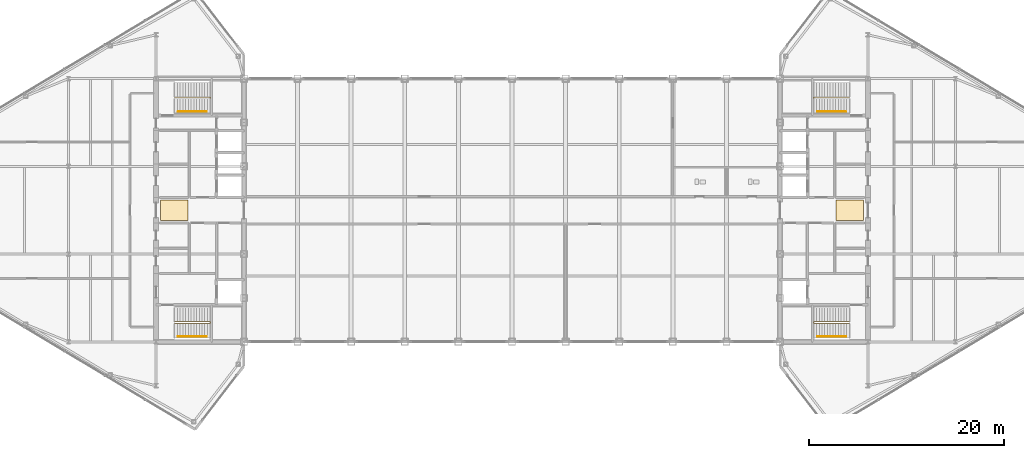
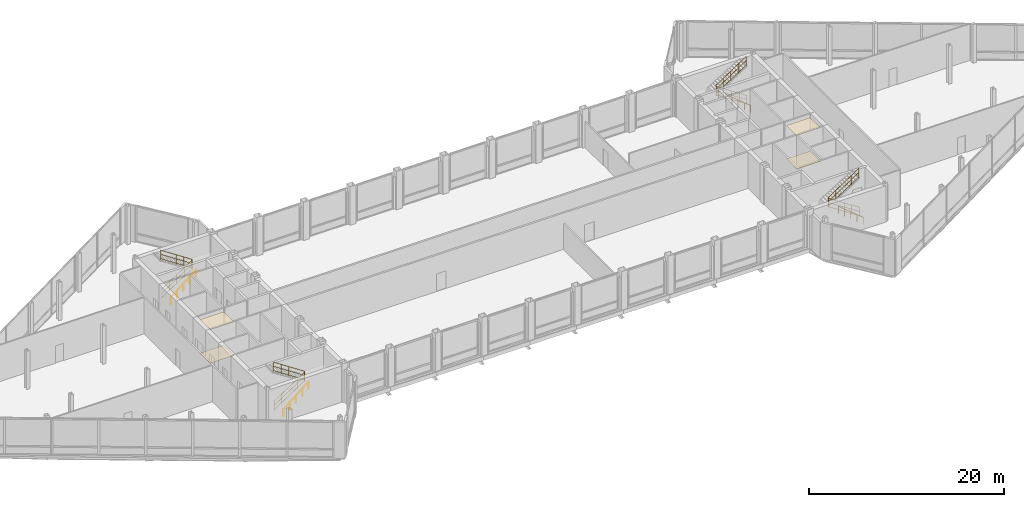
# One storey, part 28 of 29: 8 railings, 4 coverings.
"""IFC4 building model written with IfcOpenShell, lengths in metres."""

from ifc_helpers import new_model, si_unit, direction, frame, origin, origin_2d, place, context, subcontext, project, spatial, polyline, circle, outline, extrude, material, layer, layer_set, type_object, element, save


model = new_model("IFC4")

# Units and contexts
model_context = context("Model", 3, precision=1e-05, world=origin(), true_north=direction((0.0, 1.0)))
body_context = subcontext(model_context, "Body", "Model", "MODEL_VIEW")
ifc_project = project(units=[si_unit("LENGTHUNIT", "METRE"), si_unit("AREAUNIT", "SQUARE_METRE"), si_unit("VOLUMEUNIT", "CUBIC_METRE"), si_unit("PLANEANGLEUNIT", "RADIAN"), si_unit("MASSUNIT", "GRAM", prefix="KILO")], contexts=[model_context])

# Site, building, storey
site_placement = place(None, origin())
site = spatial("IfcSite", under=ifc_project, at=site_placement, CompositionType="ELEMENT")
building_placement = place(site_placement, origin())
building = spatial("IfcBuilding", under=site, at=building_placement, Name="Seokmaru Belvedere", CompositionType="ELEMENT")
storey_placement = place(building_placement, frame((0.0, 0.0, 269.39990234375)))
storey = spatial("IfcBuildingStorey", under=building, at=storey_placement, Name="L71", CompositionType="ELEMENT", Elevation=269.39990234375)

# Coverings
ifc_material_1 = material(Name="Honed Incheon Granite Stone", Category="masonry")
ifc_layer_1 = layer(ifc_material_1, 0.030029296875)
ifc_layer_set_1 = layer_set([ifc_layer_1], Name="Honed Incheon Granite Stone")
covering_type_1 = type_object("IfcCoveringType", Name="Honed Granite Lobby Floor Finish 30", PredefinedType="FLOORING", material=ifc_layer_set_1)
covering_1_placement = place(storey_placement, origin())
element("IfcCovering", 1, at=covering_1_placement, inside=storey, type_object=covering_type_1, Name="L71 W Foyer Floor Finish", PredefinedType="FLOORING", context=body_context, shape_type="SweptSolid", body=[
    extrude(outline(polyline([(-36.050048828125, -1.050048828125), (-33.25, -1.050048828125), (-33.25, 1.050048828125), (-36.050048828125, 1.050048828125), (-36.050048828125, -1.050048828125)])), origin(), (0.0, 0.0, 1.0), 0.030029296875),
])
covering_2_placement = place(storey_placement, origin())
element("IfcCovering", 2, at=covering_2_placement, inside=storey, type_object=covering_type_1, Name="L71 E Foyer Floor Finish", PredefinedType="FLOORING", context=body_context, shape_type="SweptSolid", body=[
    extrude(outline(polyline([(33.25, -1.050048828125), (36.050048828125, -1.050048828125), (36.050048828125, 1.050048828125), (33.25, 1.050048828125), (33.25, -1.050048828125)])), origin(), (0.0, 0.0, 1.0), 0.030029296875),
])
ifc_material_2 = material(Name="Fire-Rated Gypsum Shaftwall")
ifc_layer_2 = layer(ifc_material_2, 0.02490234375)
ifc_layer_set_2 = layer_set([ifc_layer_2], Name="Fire-Rated Gypsum Shaftwall")
covering_type_2 = type_object("IfcCoveringType", Name="Perforated Acoustic Gypsum Suspended Ceiling 25", PredefinedType="CEILING", material=ifc_layer_set_2)
covering_3_placement = place(storey_placement, frame((0.0, 0.0, 4.190185546875)))
element("IfcCovering", 3, at=covering_3_placement, inside=storey, type_object=covering_type_2, Name="L71 W Lift Foyer Acoustic Ceiling", PredefinedType="CEILING", context=body_context, shape_type="SweptSolid", body=[
    extrude(outline(polyline([(-36.050048828125, -1.050048828125), (-33.25, -1.050048828125), (-33.25, 1.050048828125), (-36.050048828125, 1.050048828125), (-36.050048828125, -1.050048828125)])), origin(), (0.0, 0.0, 1.0), 0.02490234375),
])
covering_4_placement = place(storey_placement, frame((0.0, 0.0, 4.190185546875)))
element("IfcCovering", 4, at=covering_4_placement, inside=storey, type_object=covering_type_2, Name="L71 E Lift Foyer Acoustic Ceiling", PredefinedType="CEILING", context=body_context, shape_type="SweptSolid", body=[
    extrude(outline(polyline([(33.25, -1.050048828125), (36.050048828125, -1.050048828125), (36.050048828125, 1.050048828125), (33.25, 1.050048828125), (33.25, -1.050048828125)])), origin(), (0.0, 0.0, 1.0), 0.02490234375),
])

# Railings
ifc_material_3 = material(Name="Stainless Steel 316", Category="steel")
railing_type_1 = type_object("IfcRailingType", Name="Stainless Steel Wall and Flight Handrail 900", PredefinedType="HANDRAIL", material=ifc_material_3)
for number, where, name in (
    (5, (-34.25, -12.949951171875, 0.0), "L71 Stair ST-W1 Wall Handrail"),
    (6, (-34.25, 10.110107421875, 0.0), "L71 Stair ST-W2 Wall Handrail"),
):
    element("IfcRailing", number, at=place(storey_placement, frame(where)), inside=storey, type_object=railing_type_1, Name=name, PredefinedType="HANDRAIL", context=body_context, shape_type="SweptSolid", body=[
        extrude(circle(Radius=0.02392578125, at=origin_2d()), frame((0.0, 0.0, 0.8759765625), z_axis=(0.774636117937, 0.0, 0.63240721437), x_axis=(0.0, 1.0, 0.0)), (0.0, 0.0, 1.0), 3.795166015625),
        extrude(circle(Radius=0.02099609375, at=origin_2d()), origin(), (0.0, 0.0, 1.0), 0.851806640625),
        extrude(circle(Radius=0.02099609375, at=origin_2d()), frame((0.73486328125, 0.0, 0.60009765625)), (0.0, 0.0, 1.0), 0.851806640625),
        extrude(circle(Radius=0.02099609375, at=origin_2d()), frame((1.469970703125, 0.0, 1.2001953125)), (0.0, 0.0, 1.0), 0.851806640625),
        extrude(circle(Radius=0.02099609375, at=origin_2d()), frame((2.205078125, 0.0, 1.800048828125)), (0.0, 0.0, 1.0), 0.851806640625),
        extrude(circle(Radius=0.02099609375, at=origin_2d()), frame((2.93994140625, 0.0, 2.400146484375)), (0.0, 0.0, 1.0), 0.851806640625),
    ])
for number, where, name in (
    (7, (34.25, -12.949951171875, 0.0), "L71 Stair ST-E1 Wall Handrail"),
    (8, (34.25, 10.110107421875, 0.0), "L71 Stair ST-E2 Wall Handrail"),
):
    element("IfcRailing", number, at=place(storey_placement, frame(where)), inside=storey, type_object=railing_type_1, Name=name, PredefinedType="HANDRAIL", context=body_context, shape_type="SweptSolid", body=[
        extrude(circle(Radius=0.02392578125, at=origin_2d()), frame((0.0, 0.0, 0.8759765625), z_axis=(-0.774636117937, 0.0, 0.63240721437), x_axis=(0.0, -1.0, 0.0)), (0.0, 0.0, 1.0), 3.795166015625),
        extrude(circle(Radius=0.02099609375, at=origin_2d()), origin(), (0.0, 0.0, 1.0), 0.851806640625),
        extrude(circle(Radius=0.02099609375, at=origin_2d()), frame((-0.73486328125, 0.0, 0.60009765625)), (0.0, 0.0, 1.0), 0.851806640625),
        extrude(circle(Radius=0.02099609375, at=origin_2d()), frame((-1.469970703125, 0.0, 1.2001953125)), (0.0, 0.0, 1.0), 0.851806640625),
        extrude(circle(Radius=0.02099609375, at=origin_2d()), frame((-2.205078125, 0.0, 1.800048828125)), (0.0, 0.0, 1.0), 0.851806640625),
        extrude(circle(Radius=0.02099609375, at=origin_2d()), frame((-2.93994140625, 0.0, 2.400146484375)), (0.0, 0.0, 1.0), 0.851806640625),
    ])
railing_type_2 = type_object("IfcRailingType", Name="Stair Well and Atrium Steel Guardrail 1200", PredefinedType="GUARDRAIL", material=ifc_material_3)
railing_1_placement = place(storey_placement, frame((-34.60009765625, -11.60009765625, 0.0)))
element("IfcRailing", 9, at=railing_1_placement, inside=storey, type_object=railing_type_2, Name="L71 Stair ST-W1 Inner Well Guardrail", PredefinedType="GUARDRAIL", context=body_context, shape_type="SweptSolid", body=[
    extrude(circle(Radius=0.02392578125, at=origin_2d()), frame((0.0, 0.0, 1.17578125), z_axis=(0.834856447115, 0.0, 0.55046772177), x_axis=(0.0, 1.0, 0.0)), (0.0, 0.0, 1.0), 4.360107421875),
    extrude(circle(Radius=0.02392578125, at=origin_2d()), frame((0.0, 0.0, 0.1201171875), z_axis=(0.834856447115, 0.0, 0.55046772177), x_axis=(0.0, 1.0, 0.0)), (0.0, 0.0, 1.0), 4.360107421875),
    extrude(circle(Radius=0.02392578125, at=origin_2d()), frame((0.0, 0.0, 0.659912109375), z_axis=(0.834856447115, 0.0, 0.55046772177), x_axis=(0.0, 1.0, 0.0)), (0.0, 0.0, 1.0), 4.360107421875),
    extrude(circle(Radius=0.02392578125, at=origin_2d()), frame((3.64013671875, 0.0, 3.576171875), z_axis=(0.0, 1.0, 0.0), x_axis=(-1.0, 0.0, 0.0)), (0.0, 0.0, 1.0), 0.14013671875),
    extrude(circle(Radius=0.02392578125, at=origin_2d()), frame((3.64013671875, 0.0, 2.520263671875), z_axis=(0.0, 1.0, 0.0), x_axis=(-1.0, 0.0, 0.0)), (0.0, 0.0, 1.0), 0.14013671875),
    extrude(circle(Radius=0.02392578125, at=origin_2d()), frame((3.64013671875, 0.0, 3.06005859375), z_axis=(0.0, 1.0, 0.0), x_axis=(-1.0, 0.0, 0.0)), (0.0, 0.0, 1.0), 0.14013671875),
    extrude(circle(Radius=0.02392578125, at=origin_2d()), frame((3.64013671875, 0.14013671875, 3.576171875), z_axis=(-0.83488217925, 0.0, 0.55042869363), x_axis=(0.0, -1.0, 0.0)), (0.0, 0.0, 1.0), 4.360107421875),
    extrude(circle(Radius=0.02392578125, at=origin_2d()), frame((3.64013671875, 0.14013671875, 2.520263671875), z_axis=(-0.83488217925, 0.0, 0.55042869363), x_axis=(0.0, -1.0, 0.0)), (0.0, 0.0, 1.0), 4.360107421875),
    extrude(circle(Radius=0.02392578125, at=origin_2d()), frame((3.64013671875, 0.14013671875, 3.06005859375), z_axis=(-0.83488217925, 0.0, 0.55042869363), x_axis=(0.0, -1.0, 0.0)), (0.0, 0.0, 1.0), 4.360107421875),
    extrude(circle(Radius=0.02099609375, at=origin_2d()), origin(), (0.0, 0.0, 1.0), 1.15185546875),
    extrude(circle(Radius=0.02099609375, at=origin_2d()), frame((0.91015625, 0.0, 0.60009765625)), (0.0, 0.0, 1.0), 1.15185546875),
    extrude(circle(Radius=0.02099609375, at=origin_2d()), frame((1.820068359375, 0.0, 1.2001953125)), (0.0, 0.0, 1.0), 1.15185546875),
    extrude(circle(Radius=0.02099609375, at=origin_2d()), frame((2.72998046875, 0.0, 1.800048828125)), (0.0, 0.0, 1.0), 1.15185546875),
    extrude(circle(Radius=0.02099609375, at=origin_2d()), frame((3.64013671875, 0.0, 2.400146484375)), (0.0, 0.0, 1.0), 1.15185546875),
    extrude(circle(Radius=0.02099609375, at=origin_2d()), frame((3.64013671875, 0.14013671875, 2.400146484375)), (0.0, 0.0, 1.0), 1.15185546875),
    extrude(circle(Radius=0.02099609375, at=origin_2d()), frame((2.72998046875, 0.14013671875, 3.0)), (0.0, 0.0, 1.0), 1.15185546875),
    extrude(circle(Radius=0.02099609375, at=origin_2d()), frame((1.820068359375, 0.14013671875, 3.60009765625)), (0.0, 0.0, 1.0), 1.15185546875),
    extrude(circle(Radius=0.02099609375, at=origin_2d()), frame((0.91015625, 0.14013671875, 4.2001953125)), (0.0, 0.0, 1.0), 1.15185546875),
    extrude(circle(Radius=0.02099609375, at=origin_2d()), frame((0.0, 0.14013671875, 4.800048828125)), (0.0, 0.0, 1.0), 1.15185546875),
])
railing_2_placement = place(storey_placement, frame((-34.60009765625, 11.4599609375, 0.0)))
element("IfcRailing", 10, at=railing_2_placement, inside=storey, type_object=railing_type_2, Name="L71 Stair ST-W2 Inner Well Guardrail", PredefinedType="GUARDRAIL", context=body_context, shape_type="SweptSolid", body=[
    extrude(circle(Radius=0.02392578125, at=origin_2d()), frame((0.0, 0.0, 1.17578125), z_axis=(0.834856447115, 0.0, 0.55046772177), x_axis=(0.0, 1.0, 0.0)), (0.0, 0.0, 1.0), 4.360107421875),
    extrude(circle(Radius=0.02392578125, at=origin_2d()), frame((0.0, 0.0, 0.1201171875), z_axis=(0.834856447115, 0.0, 0.55046772177), x_axis=(0.0, 1.0, 0.0)), (0.0, 0.0, 1.0), 4.360107421875),
    extrude(circle(Radius=0.02392578125, at=origin_2d()), frame((0.0, 0.0, 0.659912109375), z_axis=(0.834856447115, 0.0, 0.55046772177), x_axis=(0.0, 1.0, 0.0)), (0.0, 0.0, 1.0), 4.360107421875),
    extrude(circle(Radius=0.02392578125, at=origin_2d()), frame((3.64013671875, 0.0, 3.576171875), z_axis=(0.0, 1.0, 0.0), x_axis=(-1.0, 0.0, 0.0)), (0.0, 0.0, 1.0), 0.14013671875),
    extrude(circle(Radius=0.02392578125, at=origin_2d()), frame((3.64013671875, 0.0, 2.520263671875), z_axis=(0.0, 1.0, 0.0), x_axis=(-1.0, 0.0, 0.0)), (0.0, 0.0, 1.0), 0.14013671875),
    extrude(circle(Radius=0.02392578125, at=origin_2d()), frame((3.64013671875, 0.0, 3.06005859375), z_axis=(0.0, 1.0, 0.0), x_axis=(-1.0, 0.0, 0.0)), (0.0, 0.0, 1.0), 0.14013671875),
    extrude(circle(Radius=0.02392578125, at=origin_2d()), frame((3.64013671875, 0.14013671875, 3.576171875), z_axis=(-0.83488217925, 0.0, 0.55042869363), x_axis=(0.0, -1.0, 0.0)), (0.0, 0.0, 1.0), 4.360107421875),
    extrude(circle(Radius=0.02392578125, at=origin_2d()), frame((3.64013671875, 0.14013671875, 2.520263671875), z_axis=(-0.83488217925, 0.0, 0.55042869363), x_axis=(0.0, -1.0, 0.0)), (0.0, 0.0, 1.0), 4.360107421875),
    extrude(circle(Radius=0.02392578125, at=origin_2d()), frame((3.64013671875, 0.14013671875, 3.06005859375), z_axis=(-0.83488217925, 0.0, 0.55042869363), x_axis=(0.0, -1.0, 0.0)), (0.0, 0.0, 1.0), 4.360107421875),
    extrude(circle(Radius=0.02099609375, at=origin_2d()), origin(), (0.0, 0.0, 1.0), 1.15185546875),
    extrude(circle(Radius=0.02099609375, at=origin_2d()), frame((0.91015625, 0.0, 0.60009765625)), (0.0, 0.0, 1.0), 1.15185546875),
    extrude(circle(Radius=0.02099609375, at=origin_2d()), frame((1.820068359375, 0.0, 1.2001953125)), (0.0, 0.0, 1.0), 1.15185546875),
    extrude(circle(Radius=0.02099609375, at=origin_2d()), frame((2.72998046875, 0.0, 1.800048828125)), (0.0, 0.0, 1.0), 1.15185546875),
    extrude(circle(Radius=0.02099609375, at=origin_2d()), frame((3.64013671875, 0.0, 2.400146484375)), (0.0, 0.0, 1.0), 1.15185546875),
    extrude(circle(Radius=0.02099609375, at=origin_2d()), frame((3.64013671875, 0.14013671875, 2.400146484375)), (0.0, 0.0, 1.0), 1.15185546875),
    extrude(circle(Radius=0.02099609375, at=origin_2d()), frame((2.72998046875, 0.14013671875, 3.0)), (0.0, 0.0, 1.0), 1.15185546875),
    extrude(circle(Radius=0.02099609375, at=origin_2d()), frame((1.820068359375, 0.14013671875, 3.60009765625)), (0.0, 0.0, 1.0), 1.15185546875),
    extrude(circle(Radius=0.02099609375, at=origin_2d()), frame((0.91015625, 0.14013671875, 4.2001953125)), (0.0, 0.0, 1.0), 1.15185546875),
    extrude(circle(Radius=0.02099609375, at=origin_2d()), frame((0.0, 0.14013671875, 4.800048828125)), (0.0, 0.0, 1.0), 1.15185546875),
])
railing_3_placement = place(storey_placement, frame((34.60009765625, -11.60009765625, 0.0)))
element("IfcRailing", 11, at=railing_3_placement, inside=storey, type_object=railing_type_2, Name="L71 Stair ST-E1 Inner Well Guardrail", PredefinedType="GUARDRAIL", context=body_context, shape_type="SweptSolid", body=[
    extrude(circle(Radius=0.02392578125, at=origin_2d()), frame((0.0, 0.0, 1.17578125), z_axis=(-0.834856447115, 0.0, 0.55046772177), x_axis=(0.0, -1.0, 0.0)), (0.0, 0.0, 1.0), 4.360107421875),
    extrude(circle(Radius=0.02392578125, at=origin_2d()), frame((0.0, 0.0, 0.1201171875), z_axis=(-0.834856447115, 0.0, 0.55046772177), x_axis=(0.0, -1.0, 0.0)), (0.0, 0.0, 1.0), 4.360107421875),
    extrude(circle(Radius=0.02392578125, at=origin_2d()), frame((0.0, 0.0, 0.659912109375), z_axis=(-0.834856447115, 0.0, 0.55046772177), x_axis=(0.0, -1.0, 0.0)), (0.0, 0.0, 1.0), 4.360107421875),
    extrude(circle(Radius=0.02392578125, at=origin_2d()), frame((-3.64013671875, 0.0, 3.576171875), z_axis=(0.0, 1.0, 0.0), x_axis=(-1.0, 0.0, 0.0)), (0.0, 0.0, 1.0), 0.14013671875),
    extrude(circle(Radius=0.02392578125, at=origin_2d()), frame((-3.64013671875, 0.0, 2.520263671875), z_axis=(0.0, 1.0, 0.0), x_axis=(-1.0, 0.0, 0.0)), (0.0, 0.0, 1.0), 0.14013671875),
    extrude(circle(Radius=0.02392578125, at=origin_2d()), frame((-3.64013671875, 0.0, 3.06005859375), z_axis=(0.0, 1.0, 0.0), x_axis=(-1.0, 0.0, 0.0)), (0.0, 0.0, 1.0), 0.14013671875),
    extrude(circle(Radius=0.02392578125, at=origin_2d()), frame((-3.64013671875, 0.14013671875, 3.576171875), z_axis=(0.83488217925, 0.0, 0.55042869363), x_axis=(0.0, 1.0, 0.0)), (0.0, 0.0, 1.0), 4.360107421875),
    extrude(circle(Radius=0.02392578125, at=origin_2d()), frame((-3.64013671875, 0.14013671875, 2.520263671875), z_axis=(0.83488217925, 0.0, 0.55042869363), x_axis=(0.0, 1.0, 0.0)), (0.0, 0.0, 1.0), 4.360107421875),
    extrude(circle(Radius=0.02392578125, at=origin_2d()), frame((-3.64013671875, 0.14013671875, 3.06005859375), z_axis=(0.83488217925, 0.0, 0.55042869363), x_axis=(0.0, 1.0, 0.0)), (0.0, 0.0, 1.0), 4.360107421875),
    extrude(circle(Radius=0.02099609375, at=origin_2d()), origin(), (0.0, 0.0, 1.0), 1.15185546875),
    extrude(circle(Radius=0.02099609375, at=origin_2d()), frame((-0.91015625, 0.0, 0.60009765625)), (0.0, 0.0, 1.0), 1.15185546875),
    extrude(circle(Radius=0.02099609375, at=origin_2d()), frame((-1.820068359375, 0.0, 1.2001953125)), (0.0, 0.0, 1.0), 1.15185546875),
    extrude(circle(Radius=0.02099609375, at=origin_2d()), frame((-2.72998046875, 0.0, 1.800048828125)), (0.0, 0.0, 1.0), 1.15185546875),
    extrude(circle(Radius=0.02099609375, at=origin_2d()), frame((-3.64013671875, 0.0, 2.400146484375)), (0.0, 0.0, 1.0), 1.15185546875),
    extrude(circle(Radius=0.02099609375, at=origin_2d()), frame((-3.64013671875, 0.14013671875, 2.400146484375)), (0.0, 0.0, 1.0), 1.15185546875),
    extrude(circle(Radius=0.02099609375, at=origin_2d()), frame((-2.72998046875, 0.14013671875, 3.0)), (0.0, 0.0, 1.0), 1.15185546875),
    extrude(circle(Radius=0.02099609375, at=origin_2d()), frame((-1.820068359375, 0.14013671875, 3.60009765625)), (0.0, 0.0, 1.0), 1.15185546875),
    extrude(circle(Radius=0.02099609375, at=origin_2d()), frame((-0.91015625, 0.14013671875, 4.2001953125)), (0.0, 0.0, 1.0), 1.15185546875),
    extrude(circle(Radius=0.02099609375, at=origin_2d()), frame((0.0, 0.14013671875, 4.800048828125)), (0.0, 0.0, 1.0), 1.15185546875),
])
railing_4_placement = place(storey_placement, frame((34.60009765625, 11.4599609375, 0.0)))
element("IfcRailing", 12, at=railing_4_placement, inside=storey, type_object=railing_type_2, Name="L71 Stair ST-E2 Inner Well Guardrail", PredefinedType="GUARDRAIL", context=body_context, shape_type="SweptSolid", body=[
    extrude(circle(Radius=0.02392578125, at=origin_2d()), frame((0.0, 0.0, 1.17578125), z_axis=(-0.834856447115, 0.0, 0.55046772177), x_axis=(0.0, -1.0, 0.0)), (0.0, 0.0, 1.0), 4.360107421875),
    extrude(circle(Radius=0.02392578125, at=origin_2d()), frame((0.0, 0.0, 0.1201171875), z_axis=(-0.834856447115, 0.0, 0.55046772177), x_axis=(0.0, -1.0, 0.0)), (0.0, 0.0, 1.0), 4.360107421875),
    extrude(circle(Radius=0.02392578125, at=origin_2d()), frame((0.0, 0.0, 0.659912109375), z_axis=(-0.834856447115, 0.0, 0.55046772177), x_axis=(0.0, -1.0, 0.0)), (0.0, 0.0, 1.0), 4.360107421875),
    extrude(circle(Radius=0.02392578125, at=origin_2d()), frame((-3.64013671875, 0.0, 3.576171875), z_axis=(0.0, 1.0, 0.0), x_axis=(-1.0, 0.0, 0.0)), (0.0, 0.0, 1.0), 0.14013671875),
    extrude(circle(Radius=0.02392578125, at=origin_2d()), frame((-3.64013671875, 0.0, 2.520263671875), z_axis=(0.0, 1.0, 0.0), x_axis=(-1.0, 0.0, 0.0)), (0.0, 0.0, 1.0), 0.14013671875),
    extrude(circle(Radius=0.02392578125, at=origin_2d()), frame((-3.64013671875, 0.0, 3.06005859375), z_axis=(0.0, 1.0, 0.0), x_axis=(-1.0, 0.0, 0.0)), (0.0, 0.0, 1.0), 0.14013671875),
    extrude(circle(Radius=0.02392578125, at=origin_2d()), frame((-3.64013671875, 0.14013671875, 3.576171875), z_axis=(0.83488217925, 0.0, 0.55042869363), x_axis=(0.0, 1.0, 0.0)), (0.0, 0.0, 1.0), 4.360107421875),
    extrude(circle(Radius=0.02392578125, at=origin_2d()), frame((-3.64013671875, 0.14013671875, 2.520263671875), z_axis=(0.83488217925, 0.0, 0.55042869363), x_axis=(0.0, 1.0, 0.0)), (0.0, 0.0, 1.0), 4.360107421875),
    extrude(circle(Radius=0.02392578125, at=origin_2d()), frame((-3.64013671875, 0.14013671875, 3.06005859375), z_axis=(0.83488217925, 0.0, 0.55042869363), x_axis=(0.0, 1.0, 0.0)), (0.0, 0.0, 1.0), 4.360107421875),
    extrude(circle(Radius=0.02099609375, at=origin_2d()), origin(), (0.0, 0.0, 1.0), 1.15185546875),
    extrude(circle(Radius=0.02099609375, at=origin_2d()), frame((-0.91015625, 0.0, 0.60009765625)), (0.0, 0.0, 1.0), 1.15185546875),
    extrude(circle(Radius=0.02099609375, at=origin_2d()), frame((-1.820068359375, 0.0, 1.2001953125)), (0.0, 0.0, 1.0), 1.15185546875),
    extrude(circle(Radius=0.02099609375, at=origin_2d()), frame((-2.72998046875, 0.0, 1.800048828125)), (0.0, 0.0, 1.0), 1.15185546875),
    extrude(circle(Radius=0.02099609375, at=origin_2d()), frame((-3.64013671875, 0.0, 2.400146484375)), (0.0, 0.0, 1.0), 1.15185546875),
    extrude(circle(Radius=0.02099609375, at=origin_2d()), frame((-3.64013671875, 0.14013671875, 2.400146484375)), (0.0, 0.0, 1.0), 1.15185546875),
    extrude(circle(Radius=0.02099609375, at=origin_2d()), frame((-2.72998046875, 0.14013671875, 3.0)), (0.0, 0.0, 1.0), 1.15185546875),
    extrude(circle(Radius=0.02099609375, at=origin_2d()), frame((-1.820068359375, 0.14013671875, 3.60009765625)), (0.0, 0.0, 1.0), 1.15185546875),
    extrude(circle(Radius=0.02099609375, at=origin_2d()), frame((-0.91015625, 0.14013671875, 4.2001953125)), (0.0, 0.0, 1.0), 1.15185546875),
    extrude(circle(Radius=0.02099609375, at=origin_2d()), frame((0.0, 0.14013671875, 4.800048828125)), (0.0, 0.0, 1.0), 1.15185546875),
])

save(model, "model.ifc")
